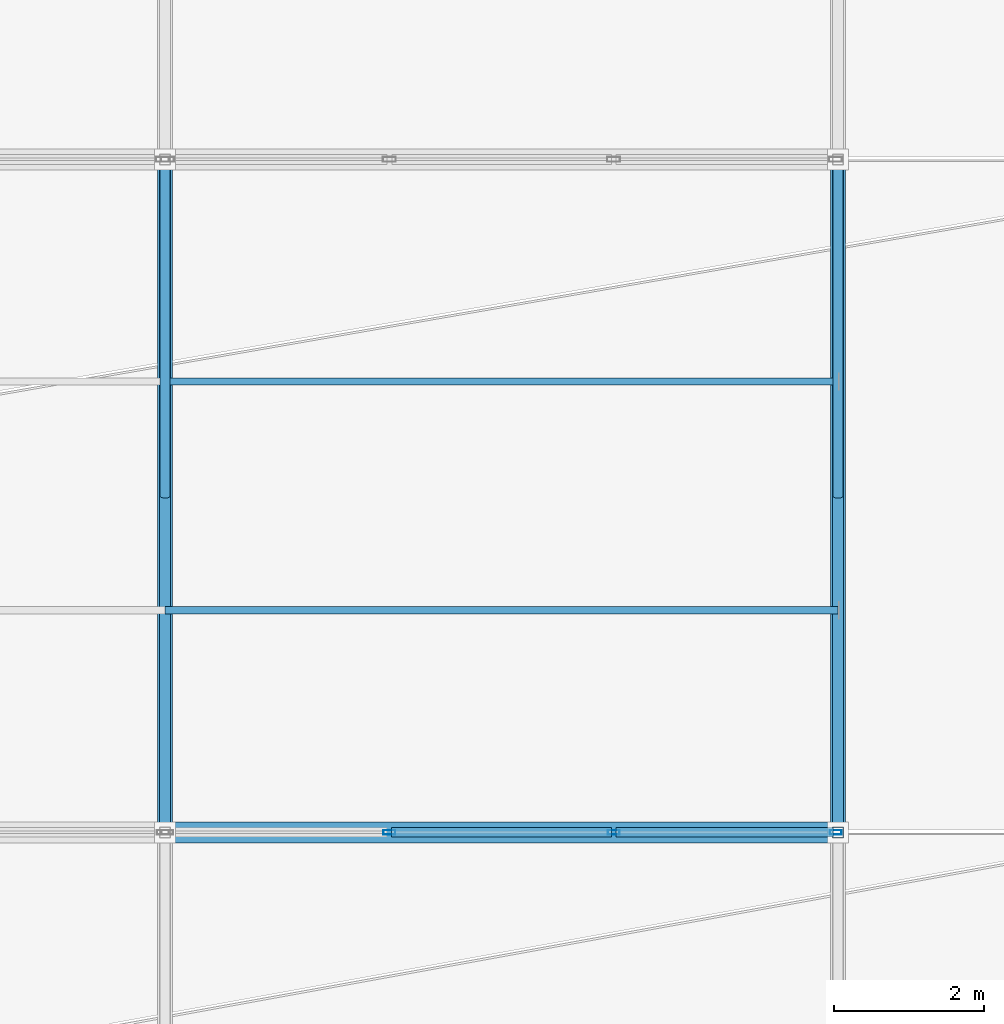
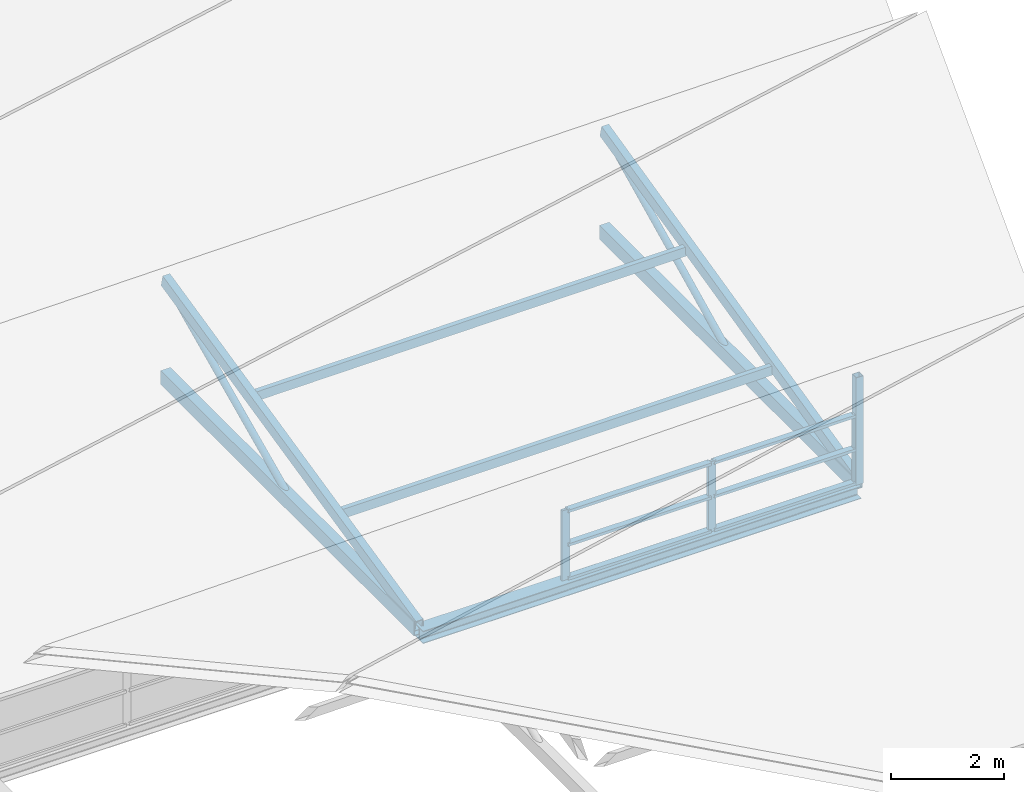
# One storey, part 30 of 103: 18 members, 1 beam, 1 element without a shape of its own.
"""IFC4 building model written with IfcOpenShell, lengths in metres."""

from ifc_helpers import new_model, si_unit, direction, frame, origin, origin_2d, place, context, subcontext, project, spatial, hollow_rectangle, hollow_circle, i_section, extrude, material, layer, layer_set, material_profile, profile_set, type_object, element, aggregate, save


model = new_model("IFC4")

# Units and contexts
model_context = context("Model", 3, precision=1e-05, world=origin(), true_north=direction((0.0, 1.0)))
body_context = subcontext(model_context, "Body", "Model", "MODEL_VIEW")
ifc_project = project(units=[si_unit("LENGTHUNIT", "METRE"), si_unit("AREAUNIT", "SQUARE_METRE"), si_unit("VOLUMEUNIT", "CUBIC_METRE"), si_unit("PLANEANGLEUNIT", "RADIAN"), si_unit("MASSUNIT", "GRAM", prefix="KILO")], contexts=[model_context])

# Site, building, storey
site_placement = place(None, origin())
site = spatial("IfcSite", under=ifc_project, at=site_placement, CompositionType="ELEMENT")
building_placement = place(site_placement, origin())
building = spatial("IfcBuilding", under=site, at=building_placement, Name="Deido Ridge Mobility Hub", CompositionType="ELEMENT")
storey_placement = place(building_placement, frame((0.0, 0.0, 12.60009765625)))
storey = spatial("IfcBuildingStorey", under=building, at=storey_placement, Name="L03", CompositionType="ELEMENT", Elevation=12.60009765625)

# Members
ifc_material_1 = material(Name="Steel S355J2H EN 10210-1", Category="steel")
ifc_material_profile_1 = material_profile(ifc_material_1, hollow_rectangle(XDim=0.199951171875, YDim=0.300048828125, WallThickness=0.012451171875, at=origin_2d()), Name="RHS 300x200x12.5")
ifc_profile_set_1 = profile_set([ifc_material_profile_1], Name="Steel S355J2H EN 10210-1")
member_type_1 = type_object("IfcMemberType", Name="MEM-CHD-RHS300", PredefinedType="CHORD", material=ifc_profile_set_1)
for number, where, z_axis, x_axis, name in (
    (1, (36.0, 63.0, 0.0), (0.0, 1.0, 0.0), (-1.0, 0.0, 0.0), "Sawtooth bottom chord CH1"),
    (2, (45.0, 63.0, 0.0), (0.0, 1.0, 0.0), (-1.0, 0.0, 0.0), "Sawtooth bottom chord CH1"),
):
    element("IfcMember", number, at=place(storey_placement, frame(where, z_axis=z_axis, x_axis=x_axis)), inside=storey, type_object=member_type_1, Name=name, PredefinedType="CHORD", context=body_context, shape_type="SweptSolid", body=[
        extrude(hollow_rectangle(XDim=0.199951171875, YDim=0.300048828125, WallThickness=0.012451171875, at=origin_2d()), origin(), (0.0, 0.0, 1.0), 9.0),
    ])

# Curtain wall, members
ifc_material_2 = material(Name="Anodised aluminium EN AW-6063 T6", Category="aluminium")
ifc_layer = layer(ifc_material_2, 0.14404296875, Name="Anodised aluminium EN AW-6063 T6")
ifc_layer_set = layer_set([ifc_layer], Name="Anodised aluminium EN AW-6063 T6")
curtain_wall_type = type_object("IfcCurtainWallType", Name="CW-GS-2", PredefinedType="USERDEFINED", material=ifc_layer_set)
curtain_wall_placement = place(storey_placement, origin())
curtain_wall = element("IfcCurtainWall", 3, at=curtain_wall_placement, inside=storey, type_object=curtain_wall_type, Name="Unitised curtain wall GS2", ObjectType="GLAZED SCREEN", PredefinedType="USERDEFINED")
ifc_material_profile_2 = material_profile(ifc_material_2, hollow_rectangle(XDim=0.06005859375, YDim=0.159912109375, WallThickness=0.00390625, at=origin_2d()), Name="RHS 60x160x4")
ifc_profile_set_2 = profile_set([ifc_material_profile_2], Name="Anodised aluminium EN AW-6063 T6")
member_type_2 = type_object("IfcMemberType", Name="MEM-MUL-60X160", PredefinedType="MULLION", material=ifc_profile_set_2)
member_1_placement = place(storey_placement, frame((39.0, 63.0, 0.0), z_axis=(0.0, 0.0, 1.0), x_axis=(0.0, 1.0, 0.0)))
member_1 = element("IfcMember", 4, at=member_1_placement, type_object=member_type_2, Name="GS2 mullion 2", PredefinedType="MULLION", context=body_context, shape_type="SweptSolid", body=[
    extrude(hollow_rectangle(XDim=0.06005859375, YDim=0.159912109375, WallThickness=0.00390625, at=origin_2d()), origin(), (0.0, 0.0, 1.0), 1.52001953125),
])
member_2_placement = place(storey_placement, frame((42.0, 63.0, 0.0), z_axis=(0.0, 0.0, 1.0), x_axis=(0.0, 1.0, 0.0)))
member_2 = element("IfcMember", 5, at=member_2_placement, type_object=member_type_2, Name="GS2 mullion 3", PredefinedType="MULLION", context=body_context, shape_type="SweptSolid", body=[
    extrude(hollow_rectangle(XDim=0.06005859375, YDim=0.159912109375, WallThickness=0.00390625, at=origin_2d()), origin(), (0.0, 0.0, 1.0), 1.52001953125),
])
member_3_placement = place(storey_placement, frame((44.969970703125, 63.0, 0.0), z_axis=(0.0, 0.0, 1.0), x_axis=(0.0, 1.0, 0.0)))
member_3 = element("IfcMember", 6, at=member_3_placement, type_object=member_type_2, Name="GS2 mullion 4", PredefinedType="MULLION", context=body_context, shape_type="SweptSolid", body=[
    extrude(hollow_rectangle(XDim=0.06005859375, YDim=0.159912109375, WallThickness=0.00390625, at=origin_2d()), origin(), (0.0, 0.0, 1.0), 1.52001953125),
])

# Members
ifc_material_profile_3 = material_profile(ifc_material_1, hollow_rectangle(XDim=0.14990234375, YDim=0.14990234375, WallThickness=0.008056640625, at=origin_2d()), Name="SHS 150x150x8")
ifc_profile_set_3 = profile_set([ifc_material_profile_3], Name="Steel S355J2H EN 10210-1")
member_type_3 = type_object("IfcMemberType", Name="MEM-PST-SHS150", PredefinedType="POST", material=ifc_profile_set_3)
member_4_placement = place(storey_placement, frame((45.0, 63.0, 0.0), z_axis=(0.0, 0.0, 1.0), x_axis=(1.0, 0.0, 0.0)))
element("IfcMember", 7, at=member_4_placement, inside=storey, type_object=member_type_3, Name="Sawtooth clerestory post PS1", PredefinedType="POST", context=body_context, shape_type="SweptSolid", body=[
    extrude(hollow_rectangle(XDim=0.14990234375, YDim=0.14990234375, WallThickness=0.008056640625, at=origin_2d()), origin(), (0.0, 0.0, 1.0), 2.329833984375),
])
ifc_material_profile_4 = material_profile(ifc_material_1, hollow_rectangle(XDim=0.10009765625, YDim=0.199951171875, WallThickness=0.008056640625, at=origin_2d()), Name="RHS 200x100x8")
ifc_profile_set_4 = profile_set([ifc_material_profile_4], Name="Steel S355J2H EN 10210-1")
member_type_4 = type_object("IfcMemberType", Name="MEM-PUR-RHS200", PredefinedType="PURLIN", material=ifc_profile_set_4)
member_5_placement = place(storey_placement, frame((36.0, 65.969970703125, 0.64306640625), z_axis=(0.999994523776, 0.0, 0.003309443682), x_axis=(0.0, 1.0, 0.0)))
element("IfcMember", 8, at=member_5_placement, inside=storey, type_object=member_type_4, Name="Sawtooth roof purlin PR1", PredefinedType="PURLIN", context=body_context, shape_type="SweptSolid", body=[
    extrude(hollow_rectangle(XDim=0.10009765625, YDim=0.199951171875, WallThickness=0.008056640625, at=origin_2d()), origin(), (0.0, 0.0, 1.0), 9.0),
])
member_6_placement = place(storey_placement, frame((36.0, 69.030029296875, 1.336669921875), z_axis=(0.99997755372, 0.0, 0.006700153423), x_axis=(0.0, 1.0, 0.0)))
element("IfcMember", 9, at=member_6_placement, inside=storey, type_object=member_type_4, Name="Sawtooth roof purlin PR1", PredefinedType="PURLIN", context=body_context, shape_type="SweptSolid", body=[
    extrude(hollow_rectangle(XDim=0.10009765625, YDim=0.199951171875, WallThickness=0.008056640625, at=origin_2d()), origin(), (0.0, 0.0, 1.0), 9.000244140625),
])
ifc_material_profile_5 = material_profile(ifc_material_1, hollow_rectangle(XDim=0.14990234375, YDim=0.25, WallThickness=0.010009765625, at=origin_2d()), Name="RHS 250x150x10")
ifc_profile_set_5 = profile_set([ifc_material_profile_5], Name="Steel S355J2H EN 10210-1")
member_type_5 = type_object("IfcMemberType", Name="MEM-RAF-RHS250", PredefinedType="RAFTER", material=ifc_profile_set_5)
member_7_placement = place(storey_placement, frame((36.0, 63.0, 0.0498046875), z_axis=(0.0, 0.975259516727, 0.221063056689), x_axis=(-1.0, 0.0, 0.0)))
element("IfcMember", 10, at=member_7_placement, inside=storey, type_object=member_type_5, Name="Sawtooth sloped rafter RF1", PredefinedType="RAFTER", context=body_context, shape_type="SweptSolid", body=[
    extrude(hollow_rectangle(XDim=0.14990234375, YDim=0.25, WallThickness=0.010009765625, at=origin_2d()), origin(), (0.0, 0.0, 1.0), 9.228271484375),
])
member_8_placement = place(storey_placement, frame((45.0, 63.0, 0.0498046875), z_axis=(0.0, 0.973115484271, 0.230317724616), x_axis=(-1.0, 0.0, 0.0)))
element("IfcMember", 11, at=member_8_placement, inside=storey, type_object=member_type_5, Name="Sawtooth sloped rafter RF1", PredefinedType="RAFTER", context=body_context, shape_type="SweptSolid", body=[
    extrude(hollow_rectangle(XDim=0.14990234375, YDim=0.25, WallThickness=0.010009765625, at=origin_2d()), origin(), (0.0, 0.0, 1.0), 9.24853515625),
])
ifc_material_profile_6 = material_profile(ifc_material_1, hollow_circle(Radius=0.06982421875, WallThickness=0.00634765625, at=origin_2d()), Name="CHS 139.7x6.3")
ifc_profile_set_6 = profile_set([ifc_material_profile_6], Name="Steel S355J2H EN 10210-1")
member_type_6 = type_object("IfcMemberType", Name="MEM-STR-CHS140", PredefinedType="STRUT", material=ifc_profile_set_6)
member_9_placement = place(storey_placement, frame((36.0, 67.5, 0.0), z_axis=(0.0, 0.906966004542, 0.421203830235), x_axis=(-1.0, 0.0, 0.0)))
element("IfcMember", 12, at=member_9_placement, inside=storey, type_object=member_type_6, Name="Sawtooth web strut SR2", PredefinedType="STRUT", context=body_context, shape_type="SweptSolid", body=[
    extrude(hollow_circle(Radius=0.06982421875, WallThickness=0.00634765625, at=origin_2d()), origin(), (0.0, 0.0, 1.0), 4.961669921875),
])
member_10_placement = place(storey_placement, frame((45.0, 67.5, 0.0), z_axis=(0.0, 0.899962167145, 0.435968000783), x_axis=(-1.0, 0.0, 0.0)))
element("IfcMember", 13, at=member_10_placement, inside=storey, type_object=member_type_6, Name="Sawtooth web strut SR2", PredefinedType="STRUT", context=body_context, shape_type="SweptSolid", body=[
    extrude(hollow_circle(Radius=0.06982421875, WallThickness=0.00634765625, at=origin_2d()), origin(), (0.0, 0.0, 1.0), 5.000244140625),
])

# Member
ifc_material_profile_7 = material_profile(ifc_material_2, hollow_rectangle(XDim=0.125, YDim=0.06005859375, WallThickness=0.00390625, at=origin_2d()), Name="RHS 125x60x4")
ifc_profile_set_7 = profile_set([ifc_material_profile_7], Name="Anodised aluminium EN AW-6063 T6")
member_type_7 = type_object("IfcMemberType", Name="MEM-TRN-125X60", PredefinedType="USERDEFINED", material=ifc_profile_set_7)
member_11_placement = place(storey_placement, frame((39.030029296875, 63.0, 0.02978515625), z_axis=(1.0, 0.0, 0.0), x_axis=(0.0, 1.0, 0.0)))
member_11 = element("IfcMember", 14, at=member_11_placement, type_object=member_type_7, Name="GS2 transom 2.1", ObjectType="TRANSOM", PredefinedType="USERDEFINED", context=body_context, shape_type="SweptSolid", body=[
    extrude(hollow_rectangle(XDim=0.125, YDim=0.06005859375, WallThickness=0.00390625, at=origin_2d()), origin(), (0.0, 0.0, 1.0), 2.93994140625),
])

member_12_placement = place(storey_placement, frame((39.030029296875, 63.0, 0.760009765625), z_axis=(1.0, 0.0, 0.0), x_axis=(0.0, 1.0, 0.0)))
member_12 = element("IfcMember", 15, at=member_12_placement, type_object=member_type_7, Name="GS2 transom 2.2", ObjectType="TRANSOM", PredefinedType="USERDEFINED", context=body_context, shape_type="SweptSolid", body=[
    extrude(hollow_rectangle(XDim=0.125, YDim=0.06005859375, WallThickness=0.00390625, at=origin_2d()), origin(), (0.0, 0.0, 1.0), 2.93994140625),
])

member_13_placement = place(storey_placement, frame((39.030029296875, 63.0, 1.489990234375), z_axis=(1.0, 0.0, 0.0), x_axis=(0.0, 1.0, 0.0)))
member_13 = element("IfcMember", 16, at=member_13_placement, type_object=member_type_7, Name="GS2 transom 2.3", ObjectType="TRANSOM", PredefinedType="USERDEFINED", context=body_context, shape_type="SweptSolid", body=[
    extrude(hollow_rectangle(XDim=0.125, YDim=0.06005859375, WallThickness=0.00390625, at=origin_2d()), origin(), (0.0, 0.0, 1.0), 2.93994140625),
])

member_14_placement = place(storey_placement, frame((42.030029296875, 63.0, 0.02978515625), z_axis=(1.0, 0.0, 0.0), x_axis=(0.0, 1.0, 0.0)))
member_14 = element("IfcMember", 17, at=member_14_placement, type_object=member_type_7, Name="GS2 transom 3.1", ObjectType="TRANSOM", PredefinedType="USERDEFINED", context=body_context, shape_type="SweptSolid", body=[
    extrude(hollow_rectangle(XDim=0.125, YDim=0.06005859375, WallThickness=0.00390625, at=origin_2d()), origin(), (0.0, 0.0, 1.0), 2.909912109375),
])

member_15_placement = place(storey_placement, frame((42.030029296875, 63.0, 0.760009765625), z_axis=(1.0, 0.0, 0.0), x_axis=(0.0, 1.0, 0.0)))
member_15 = element("IfcMember", 18, at=member_15_placement, type_object=member_type_7, Name="GS2 transom 3.2", ObjectType="TRANSOM", PredefinedType="USERDEFINED", context=body_context, shape_type="SweptSolid", body=[
    extrude(hollow_rectangle(XDim=0.125, YDim=0.06005859375, WallThickness=0.00390625, at=origin_2d()), origin(), (0.0, 0.0, 1.0), 2.909912109375),
])

member_16_placement = place(storey_placement, frame((42.030029296875, 63.0, 1.489990234375), z_axis=(1.0, 0.0, 0.0), x_axis=(0.0, 1.0, 0.0)))
member_16 = element("IfcMember", 19, at=member_16_placement, type_object=member_type_7, Name="GS2 transom 3.3", ObjectType="TRANSOM", PredefinedType="USERDEFINED", context=body_context, shape_type="SweptSolid", body=[
    extrude(hollow_rectangle(XDim=0.125, YDim=0.06005859375, WallThickness=0.00390625, at=origin_2d()), origin(), (0.0, 0.0, 1.0), 2.909912109375),
])

aggregate(curtain_wall, [member_1, member_2, member_3, member_11, member_12, member_13, member_14, member_15, member_16])

# Beam
ifc_material_3 = material(Name="Steel S355J2 EN 10025-2", Category="steel")
ifc_material_profile_8 = material_profile(ifc_material_3, i_section(OverallWidth=0.280029296875, OverallDepth=0.27001953125, WebThickness=0.008056640625, FlangeThickness=0.012939453125, FilletRadius=0.02392578125, at=origin_2d()), Name="HEA 280")
ifc_profile_set_8 = profile_set([ifc_material_profile_8], Name="Steel S355J2 EN 10025-2")
beam_type = type_object("IfcBeamType", Name="SPD-HEA280", PredefinedType="SPANDREL", material=ifc_profile_set_8)
beam_placement = place(storey_placement, frame((36.007080078125, 63.0, -0.135009765625), z_axis=(1.0, 0.0, 0.0), x_axis=(0.0, 1.0, 0.0)))
element("IfcBeam", 20, at=beam_placement, inside=storey, type_object=beam_type, Name="Sawtooth eave beam SP2", PredefinedType="SPANDREL", context=body_context, shape_type="SweptSolid", body=[
    extrude(i_section(OverallWidth=0.280029296875, OverallDepth=0.27001953125, WebThickness=0.008056640625, FlangeThickness=0.012939453125, FilletRadius=0.02392578125, at=origin_2d()), origin(), (0.0, 0.0, 1.0), 8.98583984375),
])

save(model, "model.ifc")
